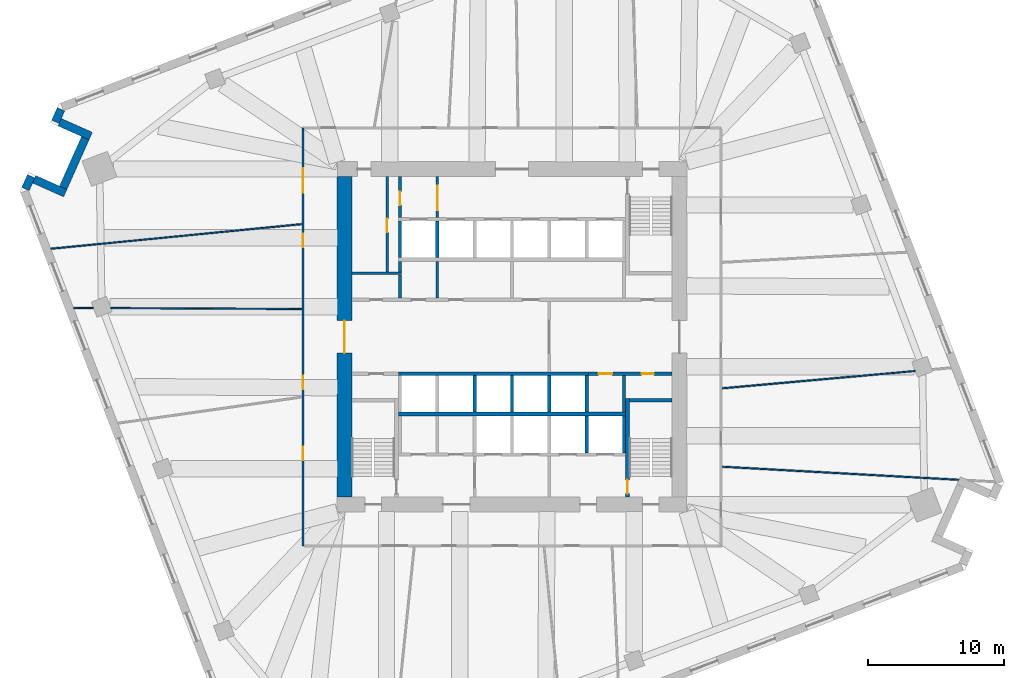
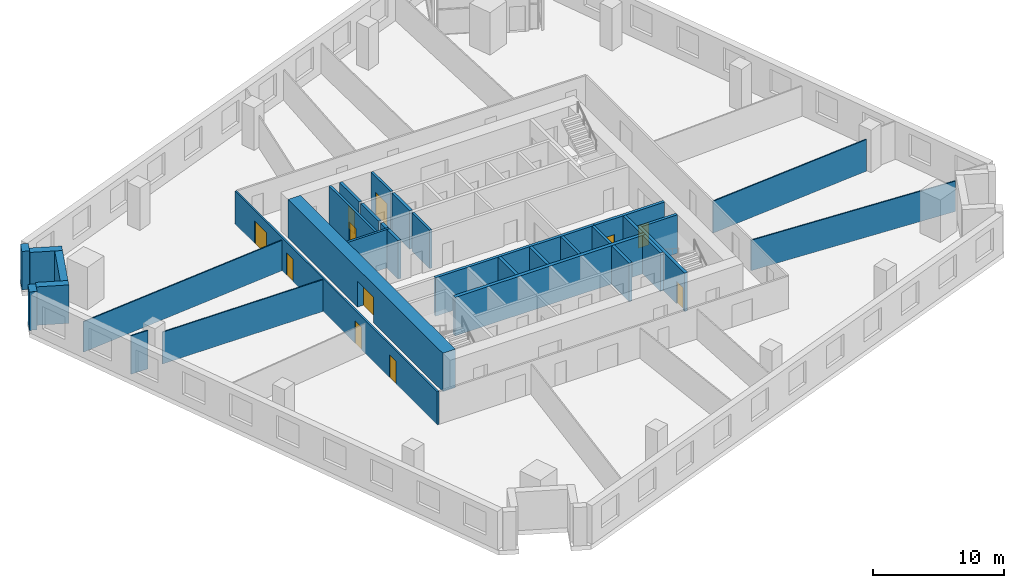
# One storey, part 9 of 14: 33 walls, 11 doors, 11 openings.
"""IFC4 building model written with IfcOpenShell, lengths in metres."""

from ifc_helpers import new_model, si_unit, direction, frame, frame_2d, origin, place, context, subcontext, project, spatial, rectangle, extrude, material, layer, layer_set, type_object, element, fill, save


model = new_model("IFC4")

# Units and contexts
model_context = context("Model", 3, precision=1e-05, world=origin(), true_north=direction((0.0, 1.0)))
body_context = subcontext(model_context, "Body", "Model", "MODEL_VIEW")
ifc_project = project(units=[si_unit("LENGTHUNIT", "METRE"), si_unit("AREAUNIT", "SQUARE_METRE"), si_unit("VOLUMEUNIT", "CUBIC_METRE"), si_unit("PLANEANGLEUNIT", "RADIAN"), si_unit("MASSUNIT", "GRAM", prefix="KILO")], contexts=[model_context])

# Site, building, storey
site_placement = place(None, origin())
site = spatial("IfcSite", under=ifc_project, at=site_placement, CompositionType="ELEMENT")
building_placement = place(site_placement, origin())
building = spatial("IfcBuilding", under=site, at=building_placement, Name="Dilmun Exchange Tower", CompositionType="ELEMENT")
storey_placement = place(building_placement, frame((0.0, 0.0, 102.10009765625)))
storey = spatial("IfcBuildingStorey", under=building, at=storey_placement, Name="L23", CompositionType="ELEMENT", Elevation=102.10009765625)

# Walls
ifc_material_1 = material(Name="Concrete C40/50", Category="concrete")
ifc_layer_1 = layer(ifc_material_1, 0.199951171875)
ifc_layer_set_1 = layer_set([ifc_layer_1], Name="Concrete C40/50")
wall_type_1 = type_object("IfcWallType", Name="Core partition wall 200", PredefinedType="PARTITIONING", material=ifc_layer_set_1)
wall_1_placement = place(storey_placement, frame((-5.5, 2.85498046875, 0.0), z_axis=(0.0, 0.0, 1.0), x_axis=(0.0, 1.0, 0.0)))
element("IfcWall", 1, at=wall_1_placement, inside=storey, type_object=wall_type_1, Name="L23 core partition wall 12", PredefinedType="PARTITIONING", context=body_context, shape_type="SweptSolid", body=[
    extrude(rectangle(XDim=2.68994140625, YDim=0.199951171875, at=frame_2d((1.344970703125, 0.0))), origin(), (0.0, 0.0, 1.0), 3.579833984375),
])
wall_2_placement = place(storey_placement, frame((-11.794921875, 4.675048828125, 0.0), z_axis=(0.0, 0.0, 1.0), x_axis=(1.0, 0.0, 0.0)))
element("IfcWall", 2, at=wall_2_placement, inside=storey, type_object=wall_type_1, Name="L23 core partition wall 15", PredefinedType="PARTITIONING", context=body_context, shape_type="SweptSolid", body=[
    extrude(rectangle(XDim=3.64501953125, YDim=0.199951171875, at=frame_2d((1.822509765625, 0.0))), origin(), (0.0, 0.0, 1.0), 3.579833984375),
])

# Wall, opening, door
wall_3_placement = place(storey_placement, frame((-9.199951171875, 4.780029296875, 0.0), z_axis=(0.0, 0.0, 1.0), x_axis=(0.0, 1.0, 0.0)))
wall_3 = element("IfcWall", 3, at=wall_3_placement, inside=storey, type_object=wall_type_1, Name="L23 core partition wall 16", PredefinedType="PARTITIONING", context=body_context, shape_type="SweptSolid", body=[
    extrude(rectangle(XDim=7.014892578125, YDim=0.199951171875, at=frame_2d((3.50732421875, 0.0))), origin(), (0.0, 0.0, 1.0), 3.579833984375),
])
opening_1_placement = place(wall_3_placement, frame((2.919921875, 0.0, 0.0)))
opening_1 = element("IfcOpeningElement", 4, at=opening_1_placement, cuts=wall_3, Name="Opening CD4", PredefinedType="OPENING", context=body_context, shape_type="SweptSolid", body=[
    extrude(rectangle(XDim=1.0, YDim=2.10009765625, at=frame_2d((0.5, 1.050048828125))), frame((0.0, 0.10986328125, 0.0), z_axis=(0.0, -1.0, 0.0), x_axis=(1.0, 0.0, 0.0)), (0.0, 0.0, 1.0), 0.219970703125),
])
ifc_material_2 = material(Name="Fire-rated steel door set", Category="steel")
door_type_1 = type_object("IfcDoorType", Name="Core room door 1000x2100", OperationType="SINGLE_SWING_LEFT", PredefinedType="DOOR", material=ifc_material_2)
door_1_placement = place(opening_1_placement, origin())
door_1 = element("IfcDoor", 5, at=door_1_placement, inside=storey, type_object=door_type_1, Name="L23 door Fire safety store", OperationType="SINGLE_SWING_RIGHT", OverallHeight=2.10009765625, OverallWidth=1.0, PredefinedType="DOOR", context=body_context, shape_type="SweptSolid", body=[
    extrude(rectangle(XDim=1.0, YDim=2.10009765625, at=frame_2d((0.5, 1.050048828125))), frame((0.0, 0.02490234375, 0.0), z_axis=(0.0, -1.0, 0.0), x_axis=(1.0, 0.0, 0.0)), (0.0, 0.0, 1.0), 0.050048828125),
])
fill(opening_1, door_1)

wall_4_placement = place(storey_placement, frame((-5.5, 8.804931640625, 0.0), z_axis=(0.0, 0.0, 1.0), x_axis=(0.0, 1.0, 0.0)))
wall_4 = element("IfcWall", 6, at=wall_4_placement, inside=storey, type_object=wall_type_1, Name="L23 core partition wall 19", PredefinedType="PARTITIONING", context=body_context, shape_type="SweptSolid", body=[
    extrude(rectangle(XDim=2.989990234375, YDim=0.199951171875, at=frame_2d((1.4951171875, 0.0))), origin(), (0.0, 0.0, 1.0), 3.579833984375),
])
opening_2_placement = place(wall_4_placement, frame((0.532470703125, 0.0, 0.0)))
opening_2 = element("IfcOpeningElement", 7, at=opening_2_placement, cuts=wall_4, Name="Opening CD5", PredefinedType="OPENING", context=body_context, shape_type="SweptSolid", body=[
    extrude(rectangle(XDim=1.800048828125, YDim=2.10009765625, at=frame_2d((0.89990234375, 1.050048828125))), frame((0.0, 0.10986328125, 0.0), z_axis=(0.0, -1.0, 0.0), x_axis=(1.0, 0.0, 0.0)), (0.0, 0.0, 1.0), 0.219970703125),
])
door_type_2 = type_object("IfcDoorType", Name="Stair exit door 1800x2100", OperationType="SINGLE_SWING_LEFT", PredefinedType="DOOR", material=ifc_material_2)
door_2_placement = place(opening_2_placement, origin())
door_2 = element("IfcDoor", 8, at=door_2_placement, inside=storey, type_object=door_type_2, Name="L23 door Lift lobby east", OperationType="SINGLE_SWING_LEFT", OverallHeight=2.10009765625, OverallWidth=1.800048828125, PredefinedType="DOOR", context=body_context, shape_type="SweptSolid", body=[
    extrude(rectangle(XDim=1.800048828125, YDim=2.10009765625, at=frame_2d((0.89990234375, 1.050048828125))), frame((0.0, 0.02490234375, 0.0), z_axis=(0.0, -1.0, 0.0), x_axis=(1.0, 0.0, 0.0)), (0.0, 0.0, 1.0), 0.050048828125),
])
fill(opening_2, door_2)

# Wall
ifc_layer_2 = layer(ifc_material_1, 0.25)
ifc_layer_set_2 = layer_set([ifc_layer_2], Name="Concrete C40/50")
wall_type_2 = type_object("IfcWallType", Name="Core partition wall 250", PredefinedType="PARTITIONING", material=ifc_layer_set_2)
wall_5_placement = place(storey_placement, frame((8.25, -5.544921875, 0.0), z_axis=(0.0, 0.0, 1.0), x_axis=(0.0, 1.0, 0.0)))
element("IfcWall", 9, at=wall_5_placement, inside=storey, type_object=wall_type_2, Name="L23 core partition wall 06", PredefinedType="PARTITIONING", context=body_context, shape_type="SweptSolid", body=[
    extrude(rectangle(XDim=2.68994140625, YDim=0.25, at=frame_2d((1.344970703125, 0.0))), origin(), (0.0, 0.0, 1.0), 3.579833984375),
])

# Wall, openings, doors
wall_6_placement = place(storey_placement, frame((5.6298828125, -2.72509765625, 0.0), z_axis=(0.0, 0.0, 1.0), x_axis=(1.0, 0.0, 0.0)))
wall_6 = element("IfcWall", 10, at=wall_6_placement, inside=storey, type_object=wall_type_2, Name="L23 core partition wall 08", PredefinedType="PARTITIONING", context=body_context, shape_type="SweptSolid", body=[
    extrude(rectangle(XDim=6.1650390625, YDim=0.25, at=frame_2d((3.08251953125, 0.0))), origin(), (0.0, 0.0, 1.0), 3.579833984375),
])
opening_3_placement = place(wall_6_placement, frame((0.7451171875, 0.0, 0.0)))
opening_3 = element("IfcOpeningElement", 11, at=opening_3_placement, cuts=wall_6, Name="Opening CD4", PredefinedType="OPENING", context=body_context, shape_type="SweptSolid", body=[
    extrude(rectangle(XDim=1.0, YDim=2.10009765625, at=frame_2d((0.5, 1.050048828125))), frame((0.0, 0.135009765625, 0.0), z_axis=(0.0, -1.0, 0.0), x_axis=(1.0, 0.0, 0.0)), (0.0, 0.0, 1.0), 0.27001953125),
])
opening_4_placement = place(wall_6_placement, frame((3.919921875, 0.0, 0.0)))
opening_4 = element("IfcOpeningElement", 12, at=opening_4_placement, cuts=wall_6, Name="Opening CD6", PredefinedType="OPENING", context=body_context, shape_type="SweptSolid", body=[
    extrude(rectangle(XDim=0.89990234375, YDim=2.10009765625, at=frame_2d((0.449951171875, 1.050048828125))), frame((0.0, 0.135009765625, 0.0), z_axis=(0.0, -1.0, 0.0), x_axis=(1.0, 0.0, 0.0)), (0.0, 0.0, 1.0), 0.27001953125),
])
door_3_placement = place(opening_3_placement, origin())
door_3 = element("IfcDoor", 13, at=door_3_placement, inside=storey, type_object=door_type_1, Name="L23 door Cleaners' store", OperationType="SINGLE_SWING_RIGHT", OverallHeight=2.10009765625, OverallWidth=1.0, PredefinedType="DOOR", context=body_context, shape_type="SweptSolid", body=[
    extrude(rectangle(XDim=1.0, YDim=2.10009765625, at=frame_2d((0.5, 1.050048828125))), frame((0.0, 0.02490234375, 0.0), z_axis=(0.0, -1.0, 0.0), x_axis=(1.0, 0.0, 0.0)), (0.0, 0.0, 1.0), 0.050048828125),
])
fill(opening_3, door_3)
door_type_3 = type_object("IfcDoorType", Name="Core room door 900x2100", OperationType="SINGLE_SWING_LEFT", PredefinedType="DOOR", material=ifc_material_2)
door_4_placement = place(opening_4_placement, origin())
door_4 = element("IfcDoor", 14, at=door_4_placement, inside=storey, type_object=door_type_3, Name="L23 door Comms riser", OperationType="SINGLE_SWING_RIGHT", OverallHeight=2.10009765625, OverallWidth=0.89990234375, PredefinedType="DOOR", context=body_context, shape_type="SweptSolid", body=[
    extrude(rectangle(XDim=0.89990234375, YDim=2.10009765625, at=frame_2d((0.449951171875, 1.050048828125))), frame((0.0, 0.02490234375, 0.0), z_axis=(0.0, -1.0, 0.0), x_axis=(1.0, 0.0, 0.0)), (0.0, 0.0, 1.0), 0.050048828125),
])
fill(opening_4, door_4)

# Walls
wall_7_placement = place(storey_placement, frame((-8.25, 2.85498046875, 0.0), z_axis=(0.0, 0.0, 1.0), x_axis=(0.0, 1.0, 0.0)))
element("IfcWall", 15, at=wall_7_placement, inside=storey, type_object=wall_type_2, Name="L23 core partition wall 11", PredefinedType="PARTITIONING", context=body_context, shape_type="SweptSolid", body=[
    extrude(rectangle(XDim=1.715087890625, YDim=0.25, at=frame_2d((0.857421875, 0.0))), origin(), (0.0, 0.0, 1.0), 3.579833984375),
])
wall_8_placement = place(storey_placement, frame((-8.25, 4.780029296875, 0.0), z_axis=(0.0, 0.0, 1.0), x_axis=(0.0, 1.0, 0.0)))
element("IfcWall", 16, at=wall_8_placement, inside=storey, type_object=wall_type_2, Name="L23 core partition wall 17", PredefinedType="PARTITIONING", context=body_context, shape_type="SweptSolid", body=[
    extrude(rectangle(XDim=0.764892578125, YDim=0.25, at=frame_2d((0.38232421875, 0.0))), origin(), (0.0, 0.0, 1.0), 3.579833984375),
])

# Wall, opening, door
wall_9_placement = place(storey_placement, frame((-8.25, 8.804931640625, 0.0), z_axis=(0.0, 0.0, 1.0), x_axis=(0.0, 1.0, 0.0)))
wall_9 = element("IfcWall", 17, at=wall_9_placement, inside=storey, type_object=wall_type_2, Name="L23 core partition wall 18", PredefinedType="PARTITIONING", context=body_context, shape_type="SweptSolid", body=[
    extrude(rectangle(XDim=2.989990234375, YDim=0.25, at=frame_2d((1.4951171875, 0.0))), origin(), (0.0, 0.0, 1.0), 3.579833984375),
])
opening_5_placement = place(wall_9_placement, frame((0.89501953125, 0.0, 0.0)))
opening_5 = element("IfcOpeningElement", 18, at=opening_5_placement, cuts=wall_9, Name="Opening CD4", PredefinedType="OPENING", context=body_context, shape_type="SweptSolid", body=[
    extrude(rectangle(XDim=1.0, YDim=2.10009765625, at=frame_2d((0.5, 1.050048828125))), frame((0.0, 0.135009765625, 0.0), z_axis=(0.0, -1.0, 0.0), x_axis=(1.0, 0.0, 0.0)), (0.0, 0.0, 1.0), 0.27001953125),
])
door_5_placement = place(opening_5_placement, origin())
door_5 = element("IfcDoor", 19, at=door_5_placement, inside=storey, type_object=door_type_1, Name="L23 door Tenant services room", OperationType="SINGLE_SWING_RIGHT", OverallHeight=2.10009765625, OverallWidth=1.0, PredefinedType="DOOR", context=body_context, shape_type="SweptSolid", body=[
    extrude(rectangle(XDim=1.0, YDim=2.10009765625, at=frame_2d((0.5, 1.050048828125))), frame((0.0, 0.02490234375, 0.0), z_axis=(0.0, -1.0, 0.0), x_axis=(1.0, 0.0, 0.0)), (0.0, 0.0, 1.0), 0.050048828125),
])
fill(opening_5, door_5)

ifc_material_3 = material(Name="Concrete C80/95", Category="concrete")
ifc_layer_3 = layer(ifc_material_3, 1.10009765625)
ifc_layer_set_3 = layer_set([ifc_layer_3], Name="Concrete C80/95")
wall_type_3 = type_object("IfcWallType", Name="Core shear wall 1100 Concrete C80/95", PredefinedType="SHEAR", material=ifc_layer_set_3)
wall_10_placement = place(storey_placement, frame((-12.35009765625, -11.800048828125, 0.0), z_axis=(0.0, 0.0, 1.0), x_axis=(0.0, 1.0, 0.0)))
wall_10 = element("IfcWall", 20, at=wall_10_placement, inside=storey, type_object=wall_type_3, Name="L23 core shear wall W", PredefinedType="SHEAR", context=body_context, shape_type="SweptSolid", body=[
    extrude(rectangle(XDim=23.60009765625, YDim=1.10009765625, at=frame_2d((11.800048828125, 0.0))), origin(), (0.0, 0.0, 1.0), 3.579833984375),
])
opening_6_placement = place(wall_10_placement, frame((10.60009765625, 0.0, 0.0)))
opening_6 = element("IfcOpeningElement", 21, at=opening_6_placement, cuts=wall_10, Name="Opening CD1", PredefinedType="OPENING", context=body_context, shape_type="SweptSolid", body=[
    extrude(rectangle(XDim=2.39990234375, YDim=2.39990234375, at=frame_2d((1.199951171875, 1.199951171875))), frame((0.0, 0.56005859375, 0.0), z_axis=(0.0, -1.0, 0.0), x_axis=(1.0, 0.0, 0.0)), (0.0, 0.0, 1.0), 1.1201171875),
])
door_type_4 = type_object("IfcDoorType", Name="Core lobby door 2400x2400", OperationType="DOUBLE_DOOR_DOUBLE_SWING", PredefinedType="DOOR", material=ifc_material_2)
door_6_placement = place(opening_6_placement, origin())
door_6 = element("IfcDoor", 22, at=door_6_placement, inside=storey, type_object=door_type_4, Name="L23 door Central lift lobby", OperationType="SINGLE_SWING_LEFT", OverallHeight=2.39990234375, OverallWidth=2.39990234375, PredefinedType="DOOR", context=body_context, shape_type="SweptSolid", body=[
    extrude(rectangle(XDim=2.39990234375, YDim=2.39990234375, at=frame_2d((1.199951171875, 1.199951171875))), frame((0.0, 0.02490234375, 0.0), z_axis=(0.0, -1.0, 0.0), x_axis=(1.0, 0.0, 0.0)), (0.0, 0.0, 1.0), 0.050048828125),
])
fill(opening_6, door_6)

# Wall, openings, doors
ifc_material_4 = material(Name="Corridor wall 150")
ifc_layer_4 = layer(ifc_material_4, 0.14990234375)
ifc_layer_set_4 = layer_set([ifc_layer_4], Name="Corridor wall 150")
wall_type_4 = type_object("IfcWallType", Name="Corridor wall 150", PredefinedType="PARTITIONING", material=ifc_layer_set_4)
wall_11_placement = place(storey_placement, frame((-15.39990234375, -15.39990234375, 0.0), z_axis=(0.0, 0.0, 1.0), x_axis=(0.0, 1.0, 0.0)))
wall_11 = element("IfcWall", 23, at=wall_11_placement, inside=storey, type_object=wall_type_4, Name="Corridor wall", PredefinedType="PARTITIONING", context=body_context, shape_type="SweptSolid", body=[
    extrude(rectangle(XDim=30.7998046875, YDim=0.14990234375, at=frame_2d((15.39990234375, 0.0))), origin(), (0.0, 0.0, 1.0), 3.079833984375),
])
opening_7_placement = place(wall_11_placement, frame((21.999267578125, 0.0, 0.0)))
opening_7 = element("IfcOpeningElement", 24, at=opening_7_placement, cuts=wall_11, Name="Opening TF23-D01", PredefinedType="OPENING", context=body_context, shape_type="SweptSolid", body=[
    extrude(rectangle(XDim=1.0, YDim=2.10009765625, at=frame_2d((0.5, 1.050048828125))), frame((0.0, 0.0849609375, 0.0), z_axis=(0.0, -1.0, 0.0), x_axis=(1.0, 0.0, 0.0)), (0.0, 0.0, 1.0), 0.169921875),
])
opening_8_placement = place(wall_11_placement, frame((11.51806640625, 0.0, 0.0)))
opening_8 = element("IfcOpeningElement", 25, at=opening_8_placement, cuts=wall_11, Name="Opening TF23-D02", PredefinedType="OPENING", context=body_context, shape_type="SweptSolid", body=[
    extrude(rectangle(XDim=1.0, YDim=2.10009765625, at=frame_2d((0.5, 1.050048828125))), frame((0.0, 0.0849609375, 0.0), z_axis=(0.0, -1.0, 0.0), x_axis=(1.0, 0.0, 0.0)), (0.0, 0.0, 1.0), 0.169921875),
])
opening_9_placement = place(wall_11_placement, frame((26.00537109375, 0.0, 0.0)))
opening_9 = element("IfcOpeningElement", 26, at=opening_9_placement, cuts=wall_11, Name="Opening TF23-D03", PredefinedType="OPENING", context=body_context, shape_type="SweptSolid", body=[
    extrude(rectangle(XDim=1.800048828125, YDim=2.10009765625, at=frame_2d((0.89990234375, 1.050048828125))), frame((0.0, 0.0849609375, 0.0), z_axis=(0.0, -1.0, 0.0), x_axis=(1.0, 0.0, 0.0)), (0.0, 0.0, 1.0), 0.169921875),
])
opening_10_placement = place(wall_11_placement, frame((6.300048828125, 0.0, 0.0)))
opening_10 = element("IfcOpeningElement", 27, at=opening_10_placement, cuts=wall_11, Name="Opening TF23-D06", PredefinedType="OPENING", context=body_context, shape_type="SweptSolid", body=[
    extrude(rectangle(XDim=1.0, YDim=2.10009765625, at=frame_2d((0.5, 1.050048828125))), frame((0.0, 0.0849609375, 0.0), z_axis=(0.0, -1.0, 0.0), x_axis=(1.0, 0.0, 0.0)), (0.0, 0.0, 1.0), 0.169921875),
])
ifc_material_5 = material(Name="Fire door 1000 x 2100")
door_type_5 = type_object("IfcDoorType", Name="Fire door 1000 x 2100", OperationType="NOTDEFINED", PredefinedType="DOOR", material=ifc_material_5)
door_7_placement = place(opening_7_placement, origin())
door_7 = element("IfcDoor", 28, at=door_7_placement, inside=storey, type_object=door_type_5, Name="Door TF23-D01", OperationType="SINGLE_SWING_LEFT", OverallHeight=2.10009765625, OverallWidth=1.0, PredefinedType="DOOR", context=body_context, shape_type="SweptSolid", body=[
    extrude(rectangle(XDim=1.0, YDim=2.10009765625, at=frame_2d((0.5, 1.050048828125))), frame((0.0, 0.02490234375, 0.0), z_axis=(0.0, -1.0, 0.0), x_axis=(1.0, 0.0, 0.0)), (0.0, 0.0, 1.0), 0.050048828125),
])
fill(opening_7, door_7)
door_8_placement = place(opening_8_placement, origin())
door_8 = element("IfcDoor", 29, at=door_8_placement, inside=storey, type_object=door_type_5, Name="Door TF23-D02", OperationType="SINGLE_SWING_RIGHT", OverallHeight=2.10009765625, OverallWidth=1.0, PredefinedType="DOOR", context=body_context, shape_type="SweptSolid", body=[
    extrude(rectangle(XDim=1.0, YDim=2.10009765625, at=frame_2d((0.5, 1.050048828125))), frame((0.0, 0.02490234375, 0.0), z_axis=(0.0, -1.0, 0.0), x_axis=(1.0, 0.0, 0.0)), (0.0, 0.0, 1.0), 0.050048828125),
])
fill(opening_8, door_8)
door_9_placement = place(opening_10_placement, origin())
door_9 = element("IfcDoor", 30, at=door_9_placement, inside=storey, type_object=door_type_5, Name="Door TF23-D06", OperationType="SINGLE_SWING_RIGHT", OverallHeight=2.10009765625, OverallWidth=1.0, PredefinedType="DOOR", context=body_context, shape_type="SweptSolid", body=[
    extrude(rectangle(XDim=1.0, YDim=2.10009765625, at=frame_2d((0.5, 1.050048828125))), frame((0.0, 0.02490234375, 0.0), z_axis=(0.0, -1.0, 0.0), x_axis=(1.0, 0.0, 0.0)), (0.0, 0.0, 1.0), 0.050048828125),
])
fill(opening_10, door_9)
ifc_material_6 = material(Name="Fire door pair 1800 x 2100")
door_type_6 = type_object("IfcDoorType", Name="Fire door pair 1800 x 2100", OperationType="NOTDEFINED", PredefinedType="DOOR", material=ifc_material_6)
door_10_placement = place(opening_9_placement, origin())
door_10 = element("IfcDoor", 31, at=door_10_placement, inside=storey, type_object=door_type_6, Name="Door TF23-D03", OperationType="DOUBLE_DOOR_SINGLE_SWING", OverallHeight=2.10009765625, OverallWidth=1.800048828125, PredefinedType="DOOR", context=body_context, shape_type="SweptSolid", body=[
    extrude(rectangle(XDim=1.800048828125, YDim=2.10009765625, at=frame_2d((0.89990234375, 1.050048828125))), frame((0.0, 0.02490234375, 0.0), z_axis=(0.0, -1.0, 0.0), x_axis=(1.0, 0.0, 0.0)), (0.0, 0.0, 1.0), 0.050048828125),
])
fill(opening_9, door_10)

# Walls
ifc_layer_5 = layer(ifc_material_1, 0.300048828125)
ifc_layer_set_5 = layer_set([ifc_layer_5], Name="Concrete C40/50")
wall_type_5 = type_object("IfcWallType", Name="Lift shaft shared wall 300", PredefinedType="SOLIDWALL", material=ifc_layer_set_5)
wall_12_placement = place(storey_placement, frame((-8.375, -5.699951171875, 0.0), z_axis=(0.0, 0.0, 1.0), x_axis=(1.0, 0.0, 0.0)))
element("IfcWall", 32, at=wall_12_placement, inside=storey, type_object=wall_type_5, Name="L23 lift shaft rear wall S", PredefinedType="SOLIDWALL", context=body_context, shape_type="SweptSolid", body=[
    extrude(rectangle(XDim=16.75, YDim=0.300048828125, at=frame_2d((8.375, 0.0))), origin(), (0.0, 0.0, 1.0), 3.579833984375),
])
ifc_layer_6 = layer(ifc_material_1, 0.25)
ifc_layer_set_6 = layer_set([ifc_layer_6], Name="Concrete C40/50")
wall_type_6 = type_object("IfcWallType", Name="Lift shaft wall 250", PredefinedType="SOLIDWALL", material=ifc_layer_set_6)
for number, where, z_axis, x_axis, name in (
    (33, (-8.25, 5.85009765625, 0.0), (0.0, 0.0, 1.0), (0.0, 1.0, 0.0), "L23 lift shaft divider N20"),
    (34, (-5.5, 5.85009765625, 0.0), (0.0, 0.0, 1.0), (0.0, 1.0, 0.0), "L23 lift shaft divider N21"),
):
    element("IfcWall", number, at=place(storey_placement, frame(where, z_axis=z_axis, x_axis=x_axis)), inside=storey, type_object=wall_type_6, Name=name, PredefinedType="SOLIDWALL", context=body_context, shape_type="SweptSolid", body=[
        extrude(rectangle(XDim=2.699951171875, YDim=0.25, at=frame_2d((1.35009765625, 0.0))), origin(), (0.0, 0.0, 1.0), 3.579833984375),
    ])
wall_13_placement = place(storey_placement, frame((-8.375, -2.72509765625, 0.0), z_axis=(0.0, 0.0, 1.0), x_axis=(1.0, 0.0, 0.0)))
element("IfcWall", 35, at=wall_13_placement, inside=storey, type_object=wall_type_6, Name="L23 lift shaft front wall S1", PredefinedType="SOLIDWALL", context=body_context, shape_type="SweptSolid", body=[
    extrude(rectangle(XDim=14.0, YDim=0.25, at=frame_2d((7.0, 0.0))), origin(), (0.0, 0.0, 1.0), 3.579833984375),
])
for number, where, z_axis, x_axis, name in (
    (36, (-2.75, -5.550048828125, 0.0), (0.0, 0.0, 1.0), (0.0, 1.0, 0.0), "L23 lift shaft divider S12"),
    (37, (0.0, -5.550048828125, 0.0), (0.0, 0.0, 1.0), (0.0, 1.0, 0.0), "L23 lift shaft divider S13"),
    (38, (2.75, -5.550048828125, 0.0), (0.0, 0.0, 1.0), (0.0, 1.0, 0.0), "L23 lift shaft divider S14"),
    (39, (5.5, -5.550048828125, 0.0), (0.0, 0.0, 1.0), (0.0, 1.0, 0.0), "L23 lift shaft divider S15"),
    (40, (5.5, -8.550048828125, 0.0), (0.0, 0.0, 1.0), (0.0, 1.0, 0.0), "L23 lift shaft divider S25"),
    (41, (8.25, -8.550048828125, 0.0), (0.0, 0.0, 1.0), (0.0, 1.0, 0.0), "L23 lift shaft divider S26"),
):
    element("IfcWall", number, at=place(storey_placement, frame(where, z_axis=z_axis, x_axis=x_axis)), inside=storey, type_object=wall_type_6, Name=name, PredefinedType="SOLIDWALL", context=body_context, shape_type="SweptSolid", body=[
        extrude(rectangle(XDim=2.699951171875, YDim=0.25, at=frame_2d((1.35009765625, 0.0))), origin(), (0.0, 0.0, 1.0), 3.579833984375),
    ])
ifc_material_7 = material(Name="Partition 100")
ifc_layer_7 = layer(ifc_material_7, 0.10009765625)
ifc_layer_set_7 = layer_set([ifc_layer_7], Name="Partition 100")
wall_type_7 = type_object("IfcWallType", Name="Partition 100", PredefinedType="PARTITIONING", material=ifc_layer_set_7)
wall_14_placement = place(storey_placement, frame((-33.979736328125, 6.48681640625, 0.0), z_axis=(0.0, 0.0, 1.0), x_axis=(0.995224598135, 0.097611470978, 0.0)))
element("IfcWall", 42, at=wall_14_placement, inside=storey, type_object=wall_type_7, Name="Partition", PredefinedType="PARTITIONING", context=body_context, shape_type="SweptSolid", body=[
    extrude(rectangle(XDim=18.588623046875, YDim=0.10009765625, at=frame_2d((9.29443359375, 0.0))), origin(), (0.0, 0.0, 1.0), 2.829833984375),
])
wall_15_placement = place(storey_placement, frame((-32.306884765625, 2.12890625, 0.0), z_axis=(0.0, 0.0, 1.0), x_axis=(0.999989154713, -0.004657301452, 0.0)))
element("IfcWall", 43, at=wall_15_placement, inside=storey, type_object=wall_type_7, Name="Partition", PredefinedType="PARTITIONING", context=body_context, shape_type="SweptSolid", body=[
    extrude(rectangle(XDim=1.4677734375, YDim=0.10009765625, at=frame_2d((0.73388671875, 0.0))), origin(), (0.0, 0.0, 1.0), 3.579833984375),
])
wall_16_placement = place(storey_placement, frame((-29.55419921875, 2.115966796875, 0.0), z_axis=(0.0, 0.0, 1.0), x_axis=(0.999988794836, -0.004733941545, 0.0)))
element("IfcWall", 44, at=wall_16_placement, inside=storey, type_object=wall_type_7, Name="Partition", PredefinedType="PARTITIONING", context=body_context, shape_type="SweptSolid", body=[
    extrude(rectangle(XDim=14.079345703125, YDim=0.10009765625, at=frame_2d((7.03955078125, 0.0))), origin(), (0.0, 0.0, 1.0), 2.9599609375),
])
wall_17_placement = place(storey_placement, frame((15.477783203125, -9.5712890625, 0.0), z_axis=(0.0, 0.0, 1.0), x_axis=(0.998469362273, -0.055307617944, 0.0)))
element("IfcWall", 45, at=wall_17_placement, inside=storey, type_object=wall_type_7, Name="Partition", PredefinedType="PARTITIONING", context=body_context, shape_type="SweptSolid", body=[
    extrude(rectangle(XDim=17.48486328125, YDim=0.10009765625, at=frame_2d((8.742431640625, 0.0))), origin(), (0.0, 0.0, 1.0), 2.829833984375),
])
wall_18_placement = place(storey_placement, frame((15.4794921875, -3.7958984375, 0.0), z_axis=(0.0, 0.0, 1.0), x_axis=(0.995999820124, 0.089355236634, 0.0)))
element("IfcWall", 46, at=wall_18_placement, inside=storey, type_object=wall_type_7, Name="Partition", PredefinedType="PARTITIONING", context=body_context, shape_type="SweptSolid", body=[
    extrude(rectangle(XDim=14.2841796875, YDim=0.10009765625, at=frame_2d((7.14208984375, 0.0))), origin(), (0.0, 0.0, 1.0), 2.9599609375),
])
ifc_material_8 = material(Name="Precast concrete C50/60", Category="concrete")
ifc_layer_8 = layer(ifc_material_8, 0.60009765625)
ifc_layer_set_8 = layer_set([ifc_layer_8], Name="Precast concrete C50/60")
wall_type_8 = type_object("IfcWallType", Name="Precast stone-clad wall 600", PredefinedType="STANDARD", material=ifc_layer_set_8)
wall_19_placement = place(storey_placement, frame((-33.231689453125, 16.7626953125, 0.0), z_axis=(0.0, 0.0, 1.0), x_axis=(-0.406877680738, -0.913482650583, 0.0)))
element("IfcWall", 47, at=wall_19_placement, inside=storey, type_object=wall_type_8, Name="Facade wall L23-04", PredefinedType="STANDARD", context=body_context, shape_type="SweptSolid", body=[
    extrude(rectangle(XDim=1.010986328125, YDim=0.60009765625, at=frame_2d((0.50537109375, 0.0))), origin(), (0.0, 0.0, 1.0), 3.579833984375),
])
wall_20_placement = place(storey_placement, frame((-33.328125, 15.808349609375, 0.0), z_axis=(0.0, 0.0, 1.0), x_axis=(0.913533450149, -0.406763611276, 0.0)))
element("IfcWall", 48, at=wall_20_placement, inside=storey, type_object=wall_type_8, Name="Facade wall L23-05", PredefinedType="STANDARD", context=body_context, shape_type="SweptSolid", body=[
    extrude(rectangle(XDim=2.499755859375, YDim=0.60009765625, at=frame_2d((1.25, 0.0))), origin(), (0.0, 0.0, 1.0), 3.579833984375),
])
wall_21_placement = place(storey_placement, frame((-31.4404296875, 14.639404296875, 0.0), z_axis=(0.0, 0.0, 1.0), x_axis=(-0.406727323635, -0.913549606868, 0.0)))
element("IfcWall", 49, at=wall_21_placement, inside=storey, type_object=wall_type_8, Name="Facade wall L23-06", PredefinedType="STANDARD", context=body_context, shape_type="SweptSolid", body=[
    extrude(rectangle(XDim=4.0, YDim=0.60009765625, at=frame_2d((2.0, 0.0))), origin(), (0.0, 0.0, 1.0), 3.579833984375),
])
wall_22_placement = place(storey_placement, frame((-32.915283203125, 10.589111328125, 0.0), z_axis=(0.0, 0.0, 1.0), x_axis=(-0.913549606868, 0.406727323635, 0.0)))
element("IfcWall", 50, at=wall_22_placement, inside=storey, type_object=wall_type_8, Name="Facade wall L23-07", PredefinedType="STANDARD", context=body_context, shape_type="SweptSolid", body=[
    extrude(rectangle(XDim=2.5, YDim=0.60009765625, at=frame_2d((1.25, 0.0))), origin(), (0.0, 0.0, 1.0), 3.579833984375),
])
wall_23_placement = place(storey_placement, frame((-35.4326171875, 11.8193359375, 0.0), z_axis=(0.0, 0.0, 1.0), x_axis=(-0.406787949875, -0.913522612657, 0.0)))
element("IfcWall", 51, at=wall_23_placement, inside=storey, type_object=wall_type_8, Name="Facade wall L23-08", PredefinedType="STANDARD", context=body_context, shape_type="SweptSolid", body=[
    extrude(rectangle(XDim=1.01123046875, YDim=0.60009765625, at=frame_2d((0.505615234375, 0.0))), origin(), (0.0, 0.0, 1.0), 3.579833984375),
])
ifc_layer_9 = layer(ifc_material_1, 0.25)
ifc_layer_set_9 = layer_set([ifc_layer_9], Name="Concrete C40/50")
wall_type_9 = type_object("IfcWallType", Name="Stair end wall 250", PredefinedType="SOLIDWALL", material=ifc_layer_set_9)
wall_24_placement = place(storey_placement, frame((8.64990234375, -4.675048828125, 0.0), z_axis=(0.0, 0.0, 1.0), x_axis=(1.0, 0.0, 0.0)))
element("IfcWall", 52, at=wall_24_placement, inside=storey, type_object=wall_type_9, Name="L23 ST3 far wall", PredefinedType="SOLIDWALL", context=body_context, shape_type="SweptSolid", body=[
    extrude(rectangle(XDim=3.150146484375, YDim=0.25, at=frame_2d((1.5751953125, 0.0))), origin(), (0.0, 0.0, 1.0), 3.579833984375),
])

# Wall, opening, door
ifc_layer_10 = layer(ifc_material_1, 0.27490234375)
ifc_layer_set_10 = layer_set([ifc_layer_10], Name="Concrete C40/50")
wall_type_10 = type_object("IfcWallType", Name="Stair wall 275", PredefinedType="SOLIDWALL", material=ifc_layer_set_10)
wall_25_placement = place(storey_placement, frame((8.512451171875, -4.550048828125, 0.0), z_axis=(0.0, 0.0, 1.0), x_axis=(0.0, -1.0, 0.0)))
wall_25 = element("IfcWall", 53, at=wall_25_placement, inside=storey, type_object=wall_type_10, Name="L23 ST3 wall to lift block", PredefinedType="SOLIDWALL", context=body_context, shape_type="SweptSolid", body=[
    extrude(rectangle(XDim=7.25, YDim=0.27490234375, at=frame_2d((3.625, 0.0))), origin(), (0.0, 0.0, 1.0), 3.579833984375),
])
opening_11_placement = place(wall_25_placement, frame((6.0, 0.0, 0.0)))
opening_11 = element("IfcOpeningElement", 54, at=opening_11_placement, cuts=wall_25, Name="Opening CD4", PredefinedType="OPENING", context=body_context, shape_type="SweptSolid", body=[
    extrude(rectangle(XDim=1.0, YDim=2.10009765625, at=frame_2d((0.5, 1.050048828125))), frame((0.0, 0.1474609375, 0.0), z_axis=(0.0, -1.0, 0.0), x_axis=(1.0, 0.0, 0.0)), (0.0, 0.0, 1.0), 0.294921875),
])
door_11_placement = place(opening_11_placement, origin())
door_11 = element("IfcDoor", 55, at=door_11_placement, inside=storey, type_object=door_type_1, Name="L23 door ST3 from lobby", OperationType="SINGLE_SWING_LEFT", OverallHeight=2.10009765625, OverallWidth=1.0, PredefinedType="DOOR", context=body_context, shape_type="SweptSolid", body=[
    extrude(rectangle(XDim=1.0, YDim=2.10009765625, at=frame_2d((0.5, 1.050048828125))), frame((0.0, 0.02490234375, 0.0), z_axis=(0.0, -1.0, 0.0), x_axis=(1.0, 0.0, 0.0)), (0.0, 0.0, 1.0), 0.050048828125),
])
fill(opening_11, door_11)

save(model, "model.ifc")
